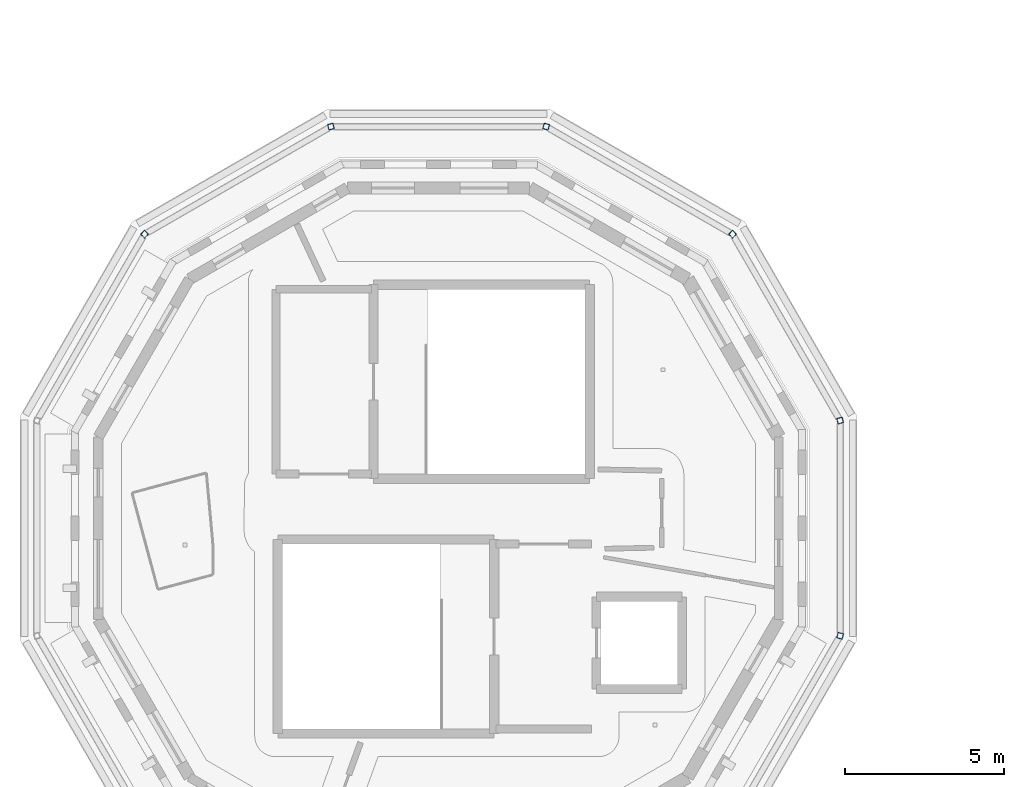
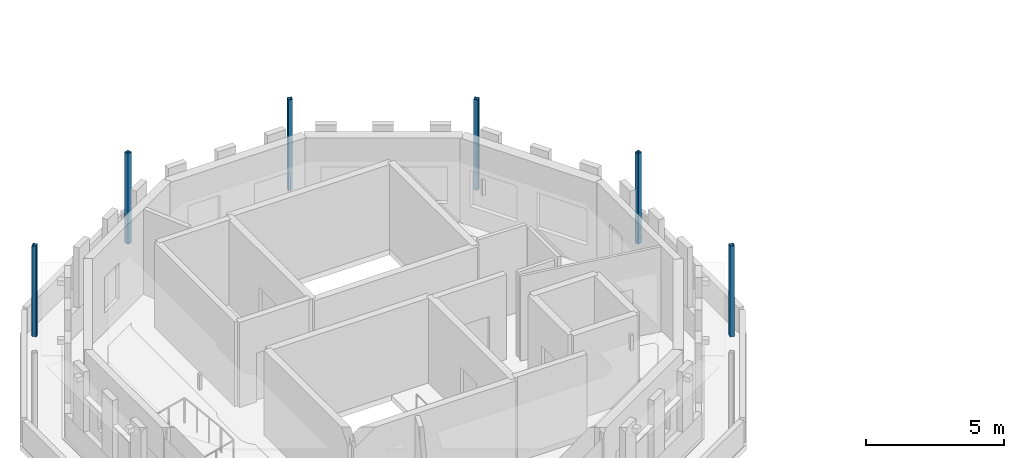
# One storey, part 2 of 51: 6 columns.
"""IFC4 building model written with IfcOpenShell, lengths in metres."""

import ifcopenshell
import ifcopenshell.guid

model = None  # the IFC model being written
_history = None  # IfcOwnerHistory: only IFC2X3 demands one
_inside = {}  # id of a spatial element -> (the spatial element, [elements in it])
_under = {}  # id of a project, library or spatial element -> (it, [spatial elements below it])
_declared = {}  # id of a project -> (the project, [libraries it declares])
_typed = {}  # id of a type object -> (the type object, [elements of that type])
_made_of = {}  # id of a material, layer set ... -> (it, [elements and type objects made of it])


def new_model(schema):
    """Start an empty IFC model of exactly this schema.

    Asked for "IFC4X3", IfcOpenShell would pick the latest addendum, in which some entities
    have other attributes; the version numbers below select the first issue.
    IFC2X3 requires an IfcOwnerHistory on every rooted entity: one is made here for all.
    """
    global model, _history
    if schema == "IFC4X3":
        model = ifcopenshell.file(schema_version=(4, 3, 0, 0))
    else:
        model = ifcopenshell.file(schema=schema)
    _inside.clear()
    _under.clear()
    _declared.clear()
    _typed.clear()
    _made_of.clear()
    _history = None
    if model.schema == "IFC2X3":
        org = make("IfcOrganization", Name="unknown")
        user = make(
            "IfcPersonAndOrganization",
            ThePerson=make("IfcPerson", FamilyName="unknown"),
            TheOrganization=org,
        )
        app = make(
            "IfcApplication",
            ApplicationDeveloper=org,
            Version="unknown",
            ApplicationFullName="unknown",
            ApplicationIdentifier="unknown",
        )
        _history = make(
            "IfcOwnerHistory",
            OwningUser=user,
            OwningApplication=app,
            ChangeAction="ADDED",
            CreationDate=0,
        )
    return model


def make(cls, **values):
    """One entity of the class cls with the attributes given. An attribute that is None is left unset."""
    return model.create_entity(
        cls, **{name: value for name, value in values.items() if value is not None}
    )


def rooted(cls, **values):
    """An entity with a GlobalId (a new one), such as an element, a storey or a relation."""
    return make(cls, GlobalId=ifcopenshell.guid.new(), OwnerHistory=_history, **values)


def si_unit(unit_type, name, prefix=None):
    """IfcSIUnit, for example si_unit("LENGTHUNIT", "METRE", prefix="MILLI")."""
    return make("IfcSIUnit", UnitType=unit_type, Prefix=prefix, Name=name)


def assignment(units):
    """IfcUnitAssignment: the units of a project."""
    return None if units is None else make("IfcUnitAssignment", Units=units)


def point(xyz):
    """IfcCartesianPoint."""
    return None if xyz is None else make("IfcCartesianPoint", Coordinates=xyz)


def direction(xyz):
    """IfcDirection."""
    return None if xyz is None else make("IfcDirection", DirectionRatios=xyz)


def frame(location, z_axis=None, x_axis=None):
    """IfcAxis2Placement3D, a coordinate frame: its origin and axes. An axis left out is left unset."""
    return make(
        "IfcAxis2Placement3D",
        Location=point(location),
        Axis=direction(z_axis),
        RefDirection=direction(x_axis),
    )


def frame_2d(location, x_axis=None):
    """IfcAxis2Placement2D, a coordinate frame in the plane: its origin and x axis."""
    return make(
        "IfcAxis2Placement2D", Location=point(location), RefDirection=direction(x_axis)
    )


def origin():
    """The frame at (0, 0, 0) with its axes left unset."""
    return frame((0.0, 0.0, 0.0))


def origin_2d():
    """The frame at (0, 0) in the plane with its x axis left unset."""
    return frame_2d((0.0, 0.0))


def place(relative_to, where):
    """IfcLocalPlacement: puts the frame where relative to a parent placement (None: the world)."""
    return make(
        "IfcLocalPlacement", PlacementRelTo=relative_to, RelativePlacement=where
    )


def context(
    kind, dimensions, precision=None, world=None, true_north=None, identifier=None
):
    """IfcGeometricRepresentationContext, for example the 3D "Model" context."""
    return make(
        "IfcGeometricRepresentationContext",
        ContextIdentifier=identifier,
        ContextType=kind,
        CoordinateSpaceDimension=dimensions,
        Precision=precision,
        WorldCoordinateSystem=world,
        TrueNorth=true_north,
    )


def subcontext(parent, identifier, kind, view, scale=None):
    """IfcGeometricRepresentationSubContext, for example "Body" below "Model"."""
    return make(
        "IfcGeometricRepresentationSubContext",
        ContextIdentifier=identifier,
        ContextType=kind,
        ParentContext=parent,
        TargetScale=scale,
        TargetView=view,
    )


def project(units=None, contexts=None):
    """IfcProject with its units and contexts."""
    return rooted(
        "IfcProject",
        Name="project",
        RepresentationContexts=contexts,
        UnitsInContext=assignment(units),
    )


def spatial(cls, under=None, at=None, **own):
    """A site, building, storey or space (cls), placed at a placement, below another one or the project."""
    s = rooted(cls, ObjectPlacement=at, **own)
    if under is not None:
        _under.setdefault(under.id(), (under, []))[1].append(s)
    return s


def profile(cls, at=None, kind="AREA", **sizes):
    """A parametric profile (cls). Its sizes go by their IFC names, for example OverallWidth=200.0."""
    return make(cls, ProfileType=kind, Position=at, **sizes)


def hollow_rectangle(**sizes):
    """IfcRectangleHollowProfileDef."""
    return profile("IfcRectangleHollowProfileDef", **sizes)


def extrude(swept, where, along, depth):
    """IfcExtrudedAreaSolid: the profile swept, set in the frame where, extruded along a direction by depth."""
    return make(
        "IfcExtrudedAreaSolid",
        SweptArea=swept,
        Position=where,
        ExtrudedDirection=direction(along),
        Depth=depth,
    )


def shape(context_of_items, identifier, shape_type, items):
    """IfcShapeRepresentation: the items that make up one representation, for example the "Body"."""
    return make(
        "IfcShapeRepresentation",
        ContextOfItems=context_of_items,
        RepresentationIdentifier=identifier,
        RepresentationType=shape_type,
        Items=items,
    )


def material(Name=None, Category=None):
    """IfcMaterial."""
    return make("IfcMaterial", Name=Name, Category=Category)


def material_profile(
    of_material, cross_section, Name=None, Category=None, Priority=None
):
    """IfcMaterialProfile: a cross section and its material."""
    return make(
        "IfcMaterialProfile",
        Name=Name,
        Material=of_material,
        Profile=cross_section,
        Priority=Priority,
        Category=Category,
    )


def profile_set(profiles, Name=None, composite=None):
    """IfcMaterialProfileSet."""
    return make(
        "IfcMaterialProfileSet",
        Name=Name,
        MaterialProfiles=profiles,
        CompositeProfile=composite,
    )


def made_of(thing, what):
    """Note that an element or type object is made of a material, layer set ...; save() writes the relation."""
    if what is not None:
        _made_of.setdefault(what.id(), (what, []))[1].append(thing)
    return thing


def type_object(cls, material=None, **own):
    """A type object (cls), such as IfcWallType, which elements share."""
    return made_of(rooted(cls, **own), material)


def element(
    cls,
    number,
    at=None,
    inside=None,
    cuts=None,
    type_object=None,
    material=None,
    context=None,
    identifier="Body",
    shape_type=None,
    held_by="IfcProductDefinitionShape",
    body=None,
    shapes=None,
    **own,
):
    """One element of the class cls, such as IfcWall. Its Tag is "e" and its number.

    at: its placement. inside: the storey or other place that contains it. cuts: it is an
    opening in that element (IfcRelVoidsElement). A single representation is given by context,
    identifier, shape_type and body (its items); several are given by shapes. held_by: the class
    of the entity that holds the representations. save() writes the other relations.
    """
    e = rooted(cls, Tag="e%d" % number, ObjectPlacement=at, **own)
    if body is not None:
        shapes = [shape(context, identifier, shape_type, body)]
    if shapes is not None:
        e.Representation = make(held_by, Representations=shapes)
    if inside is not None:
        _inside.setdefault(inside.id(), (inside, []))[1].append(e)
    if cuts is not None:
        rooted(
            "IfcRelVoidsElement", RelatingBuildingElement=cuts, RelatedOpeningElement=e
        )
    if type_object is not None:
        _typed.setdefault(type_object.id(), (type_object, []))[1].append(e)
    return made_of(e, material)


def aggregate(whole, parts):
    """IfcRelAggregates: a whole, such as a stair, and the parts it consists of."""
    return rooted("IfcRelAggregates", RelatingObject=whole, RelatedObjects=parts)


def save(model, path):
    """Write the relations noted so far, then the file.

    IfcRelAggregates (storeys below a building ...), IfcRelContainedInSpatialStructure (elements
    in a storey), IfcRelDefinesByType, IfcRelAssociatesMaterial and IfcRelDeclares: one each for
    every whole, place, type object, material and project.
    """
    for whole, parts in _under.values():
        aggregate(whole, parts)
    for where, things in _inside.values():
        rooted(
            "IfcRelContainedInSpatialStructure",
            RelatedElements=things,
            RelatingStructure=where,
        )
    for kind, things in _typed.values():
        rooted("IfcRelDefinesByType", RelatedObjects=things, RelatingType=kind)
    for what, things in _made_of.values():
        rooted("IfcRelAssociatesMaterial", RelatedObjects=things, RelatingMaterial=what)
    for by, libraries in _declared.values():
        rooted("IfcRelDeclares", RelatingContext=by, RelatedDefinitions=libraries)
    model.write(path)


model = new_model("IFC4")

# Units and contexts
model_context = context("Model", 3, precision=1e-05, world=origin(), true_north=direction((0.0, 1.0)))
body_context = subcontext(model_context, "Body", "Model", "MODEL_VIEW")
ifc_project = project(units=[si_unit("LENGTHUNIT", "METRE"), si_unit("AREAUNIT", "SQUARE_METRE"), si_unit("VOLUMEUNIT", "CUBIC_METRE"), si_unit("PLANEANGLEUNIT", "RADIAN"), si_unit("MASSUNIT", "GRAM", prefix="KILO")], contexts=[model_context])

# Site, building, storey
site_placement = place(None, origin())
site = spatial("IfcSite", under=ifc_project, at=site_placement, CompositionType="ELEMENT")
building_placement = place(site_placement, origin())
building = spatial("IfcBuilding", under=site, at=building_placement, Name="Wrenclough Park School", CompositionType="ELEMENT")
storey_placement = place(building_placement, frame((0.0, 0.0, 16.800048828125)))
storey = spatial("IfcBuildingStorey", under=building, at=storey_placement, Name="L04", CompositionType="ELEMENT", Elevation=16.800048828125)

# Columns
ifc_material = material(Name="Structural steel S355", Category="steel")
ifc_material_profile = material_profile(ifc_material, hollow_rectangle(XDim=0.179931640625, YDim=0.179931640625, WallThickness=0.010009765625, InnerFilletRadius=0.010009765625, OuterFilletRadius=0.014892578125, at=origin_2d()), Name="SHS 180x180x10.0")
ifc_profile_set = profile_set([ifc_material_profile], Name="Structural steel S355")
column_type = type_object("IfcColumnType", Name="STR-COL-SHS180", PredefinedType="PILASTER", material=ifc_profile_set)
for number, where, z_axis, x_axis, name in (
    (1, (29.105224609375, 92.877685546875, 0.0), (0.0, 0.0, 1.0), (-0.258819045103, 0.965925826289, 0.0), "D3 L04 column D3-OUT-01"),
    (2, (25.727783203125, 98.727783203125, 0.0), (0.0, 0.0, 1.0), (-0.707106781187, 0.707106781187, 0.0), "D3 L04 column D3-OUT-02"),
    (3, (19.877685546875, 102.105224609375, 0.0), (0.0, 0.0, 1.0), (-0.965925826289, 0.258819045103, 0.0), "D3 L04 column D3-OUT-03"),
    (4, (13.122314453125, 102.105224609375, 0.0), (0.0, 0.0, 1.0), (-0.965925826289, -0.258819045103, 0.0), "D3 L04 column D3-OUT-04"),
    (5, (7.272216796875, 98.727783203125, 0.0), (0.0, 0.0, 1.0), (-0.707106781187, -0.707106781187, 0.0), "D3 L04 column D3-OUT-05"),
    (6, (29.105224609375, 86.122314453125, 0.0), (0.0, 0.0, 1.0), (0.258819045103, 0.965925826289, 0.0), "D3 L04 column D3-OUT-12"),
):
    element("IfcColumn", number, at=place(storey_placement, frame(where, z_axis=z_axis, x_axis=x_axis)), inside=storey, type_object=column_type, Name=name, PredefinedType="PILASTER", context=body_context, shape_type="SweptSolid", body=[
        extrude(hollow_rectangle(XDim=0.179931640625, YDim=0.179931640625, WallThickness=0.010009765625, InnerFilletRadius=0.010009765625, OuterFilletRadius=0.014892578125, at=origin_2d()), origin(), (0.0, 0.0, 1.0), 4.0),
    ])

save(model, "model.ifc")
